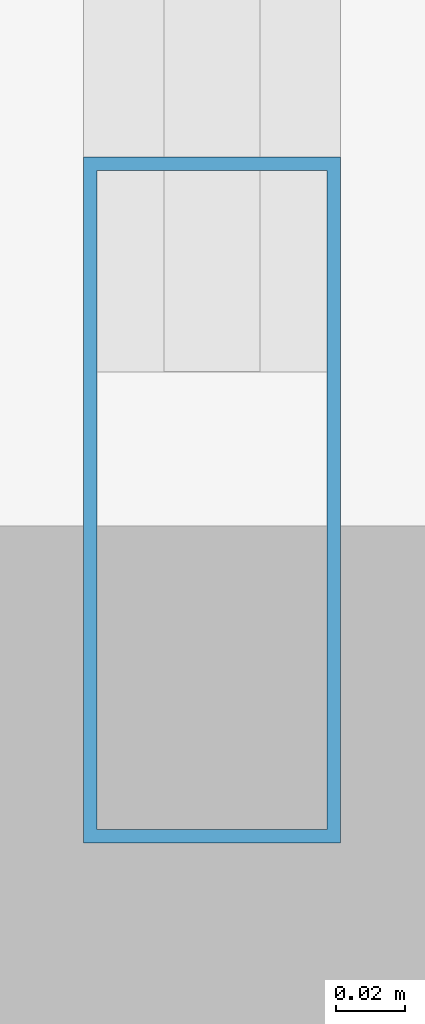
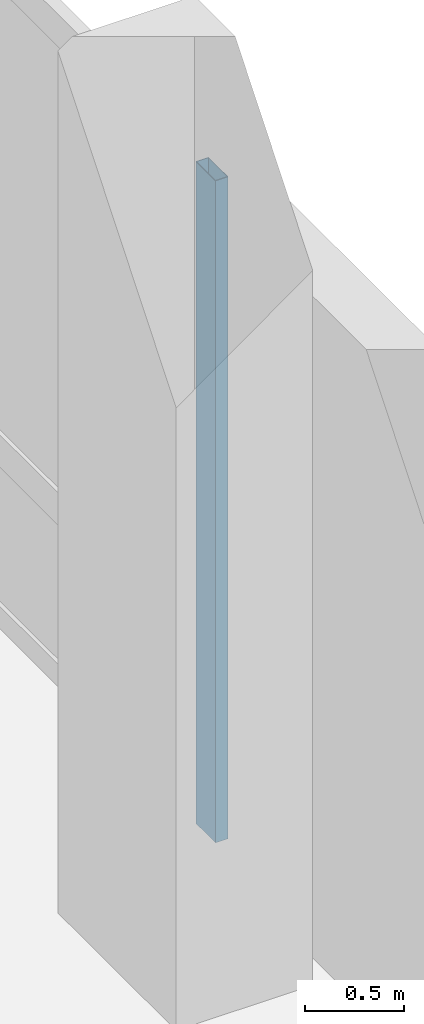
# One storey, part 16 of 31: 1 member, 1 element without a shape of its own.
"""IFC4 building model written with IfcOpenShell, lengths in metres."""

from ifc_helpers import new_model, si_unit, direction, frame, origin, origin_2d, place, context, subcontext, project, spatial, hollow_rectangle, extrude, material, layer, layer_set, material_profile, profile_set, type_object, element, aggregate, save


model = new_model("IFC4")

# Units and contexts
model_context = context("Model", 3, precision=1e-05, world=origin(), true_north=direction((0.0, 1.0)))
body_context = subcontext(model_context, "Body", "Model", "MODEL_VIEW")
ifc_project = project(units=[si_unit("LENGTHUNIT", "METRE"), si_unit("AREAUNIT", "SQUARE_METRE"), si_unit("VOLUMEUNIT", "CUBIC_METRE"), si_unit("PLANEANGLEUNIT", "RADIAN"), si_unit("MASSUNIT", "GRAM", prefix="KILO")], contexts=[model_context])

# Site, building, storey
site_placement = place(None, origin())
site = spatial("IfcSite", under=ifc_project, at=site_placement, CompositionType="ELEMENT")
building_placement = place(site_placement, origin())
building = spatial("IfcBuilding", under=site, at=building_placement, Name="Varnelok Gate Tower", CompositionType="ELEMENT")
storey_placement = place(building_placement, frame((0.0, 0.0, 21.60009765625)))
storey = spatial("IfcBuildingStorey", under=building, at=storey_placement, Name="L04", CompositionType="ELEMENT", Elevation=21.60009765625)

# Curtain wall, member
ifc_material = material(Name="Anodized Aluminum Alloy 6063-T6", Category="aluminium")
ifc_layer = layer(ifc_material, 0.179931640625)
ifc_layer_set = layer_set([ifc_layer], Name="Anodized Aluminum Alloy 6063-T6")
curtain_wall_type = type_object("IfcCurtainWallType", Name="CW1-ARCH-PORTAL", PredefinedType="USERDEFINED", material=ifc_layer_set)
curtain_wall_placement = place(storey_placement, origin())
curtain_wall = element("IfcCurtainWall", 1, at=curtain_wall_placement, inside=storey, type_object=curtain_wall_type, Name="L04 Podium Portal Curtain Wall E", ObjectType="UNITISED CURTAIN WALL", PredefinedType="USERDEFINED")
ifc_material_profile = material_profile(ifc_material, hollow_rectangle(XDim=0.074951171875, YDim=0.199951171875, WallThickness=0.00390625, at=origin_2d()), Name="ALU200X75X4")
ifc_profile_set = profile_set([ifc_material_profile], Name="Anodized Aluminum Alloy 6063-T6")
member_type = type_object("IfcMemberType", Name="CW-MULL-200", PredefinedType="MULLION", material=ifc_profile_set)
member_placement = place(storey_placement, frame((78.239990234375, 15.237548828125, 0.0), z_axis=(0.0, 0.0, 1.0), x_axis=(1.0, 0.0, 0.0)))
member = element("IfcMember", 2, at=member_placement, type_object=member_type, Name="CW1 mullion 5", PredefinedType="MULLION", context=body_context, shape_type="SweptSolid", body=[
    extrude(hollow_rectangle(XDim=0.074951171875, YDim=0.199951171875, WallThickness=0.00390625, at=origin_2d()), origin(), (0.0, 0.0, 1.0), 4.099853515625),
])
aggregate(curtain_wall, [member])

save(model, "model.ifc")
